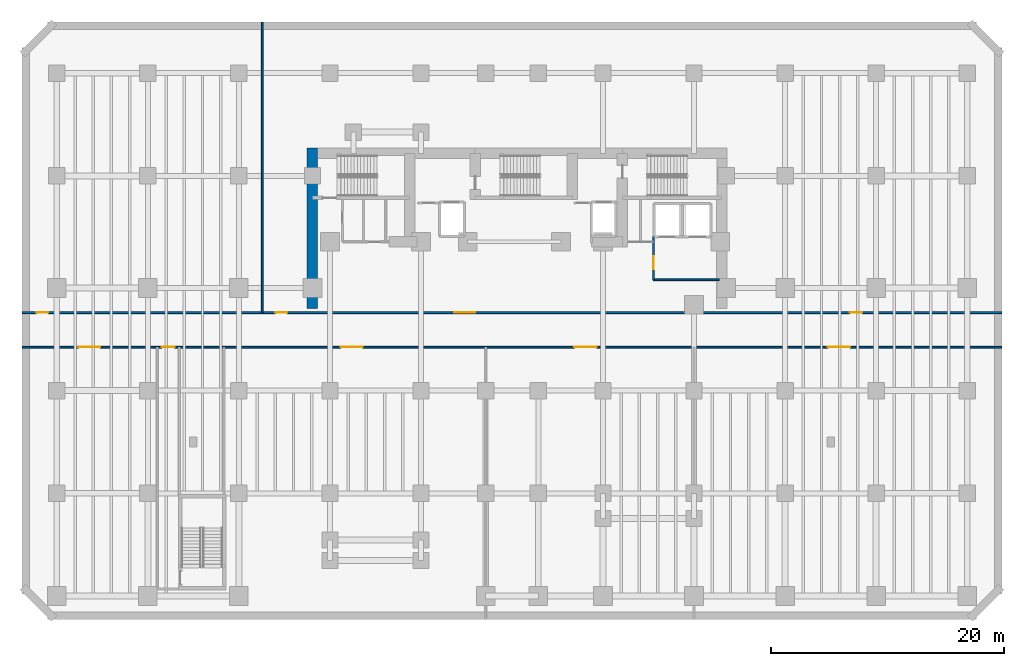
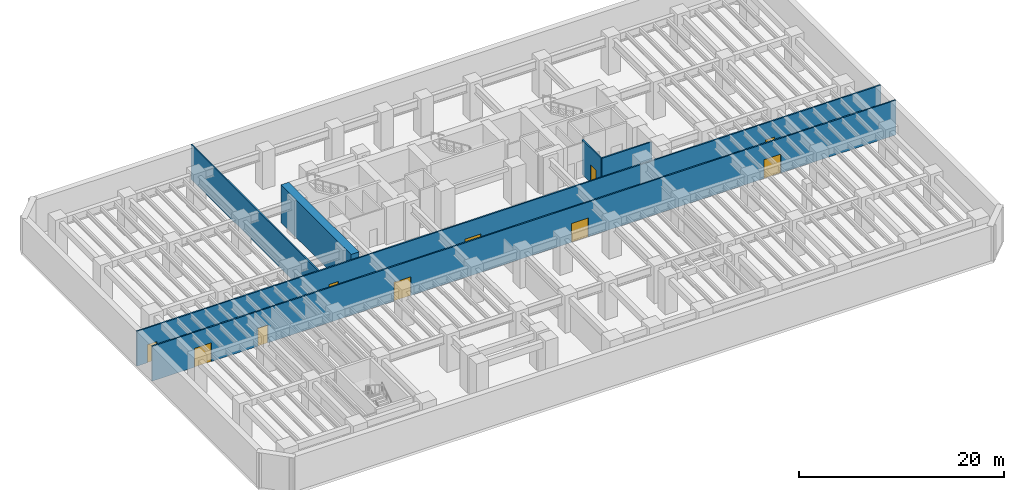
# One storey, part 5 of 9: 10 doors, 6 walls, 10 openings.
"""IFC4 building model written with IfcOpenShell, lengths in metres."""

from ifc_helpers import new_model, si_unit, direction, frame, frame_2d, origin, place, context, subcontext, project, spatial, rectangle, extrude, material, layer, layer_set, type_object, element, fill, save


model = new_model("IFC4")

# Units and contexts
model_context = context("Model", 3, precision=1e-05, world=origin(), true_north=direction((0.0, 1.0)))
body_context = subcontext(model_context, "Body", "Model", "MODEL_VIEW")
ifc_project = project(units=[si_unit("LENGTHUNIT", "METRE"), si_unit("AREAUNIT", "SQUARE_METRE"), si_unit("VOLUMEUNIT", "CUBIC_METRE"), si_unit("PLANEANGLEUNIT", "RADIAN"), si_unit("MASSUNIT", "GRAM", prefix="KILO")], contexts=[model_context])

# Site, building, storey
site_placement = place(None, origin())
site = spatial("IfcSite", under=ifc_project, at=site_placement, CompositionType="ELEMENT")
building_placement = place(site_placement, origin())
building = spatial("IfcBuilding", under=site, at=building_placement, Name="Kestravale Grand Hotel", CompositionType="ELEMENT")
storey_placement = place(building_placement, frame((0.0, 0.0, -4.5)))
storey = spatial("IfcBuildingStorey", under=building, at=storey_placement, Name="B1", CompositionType="ELEMENT", Elevation=-4.5)

# Wall
ifc_material_1 = material(Name="Concrete f'c 70 MPa", Category="concrete")
ifc_layer_1 = layer(ifc_material_1, 0.89990234375)
ifc_layer_set_1 = layer_set([ifc_layer_1], Name="EW-CORE-900")
wall_type_1 = type_object("IfcWallType", Name="EW-CORE-900", PredefinedType="SHEAR", material=ifc_layer_set_1)
wall_1_placement = place(storey_placement, frame((21.89990234375, 27.050048828125, 0.0), z_axis=(0.0, 0.0, 1.0), x_axis=(0.0, 1.0, 0.0)))
element("IfcWall", 1, at=wall_1_placement, inside=storey, type_object=wall_type_1, Name="B1 core shear wall W1", PredefinedType="SHEAR", context=body_context, shape_type="SweptSolid", body=[
    extrude(rectangle(XDim=13.719970703125, YDim=0.89990234375, at=frame_2d((6.85986328125, 0.0))), origin(), (0.0, 0.0, 1.0), 4.5),
])

# Wall, opening, door
ifc_material_2 = material(Name="Acoustic fire-rated gypsum board partition", Category="other")
ifc_layer_2 = layer(ifc_material_2, 0.159912109375)
ifc_layer_set_2 = layer_set([ifc_layer_2], Name="IW-CORR-160")
wall_type_2 = type_object("IfcWallType", Name="IW-CORR-160", PredefinedType="PARTITIONING", material=ifc_layer_set_2)
wall_2_placement = place(storey_placement, frame((51.1201171875, 29.5, 0.0), z_axis=(0.0, 0.0, 1.0), x_axis=(0.0, 1.0, 0.0)))
wall_2 = element("IfcWall", 2, at=wall_2_placement, inside=storey, type_object=wall_type_2, Name="W-B1-SVCLOB-W", PredefinedType="PARTITIONING", context=body_context, shape_type="SweptSolid", body=[
    extrude(rectangle(XDim=3.699951171875, YDim=0.159912109375, at=frame_2d((1.85009765625, 0.0))), origin(), (0.0, 0.0, 1.0), 4.14990234375),
])
opening_1_placement = place(wall_2_placement, frame((0.89990234375, 0.0, 0.0)))
opening_1 = element("IfcOpeningElement", 3, at=opening_1_placement, cuts=wall_2, Name="Opening D-CORR-1100", PredefinedType="OPENING", context=body_context, shape_type="SweptSolid", body=[
    extrude(rectangle(XDim=1.10009765625, YDim=2.14990234375, at=frame_2d((0.550048828125, 1.074951171875))), frame((0.0, 0.08984375, 0.0), z_axis=(0.0, -1.0, 0.0), x_axis=(1.0, 0.0, 0.0)), (0.0, 0.0, 1.0), 0.179931640625),
])
ifc_material_3 = material(Name="Single-leaf service vestibule fire door", Category="steel")
door_type_1 = type_object("IfcDoorType", Name="D-CORR-1100", OperationType="NOTDEFINED", PredefinedType="DOOR", material=ifc_material_3)
door_1_placement = place(opening_1_placement, origin())
door_1 = element("IfcDoor", 4, at=door_1_placement, inside=storey, type_object=door_type_1, Name="B1 service lift lobby door", OperationType="SINGLE_SWING_LEFT", OverallHeight=2.14990234375, OverallWidth=1.10009765625, PredefinedType="DOOR", context=body_context, shape_type="SweptSolid", body=[
    extrude(rectangle(XDim=1.10009765625, YDim=2.14990234375, at=frame_2d((0.550048828125, 1.074951171875))), frame((0.0, 0.02490234375, 0.0), z_axis=(0.0, -1.0, 0.0), x_axis=(1.0, 0.0, 0.0)), (0.0, 0.0, 1.0), 0.050048828125),
])
fill(opening_1, door_1)

# Wall
wall_3_placement = place(storey_placement, frame((51.1201171875, 29.5, 0.0), z_axis=(0.0, 0.0, 1.0), x_axis=(1.0, 0.0, 0.0)))
element("IfcWall", 5, at=wall_3_placement, inside=storey, type_object=wall_type_2, Name="B1 service lift lobby wall", PredefinedType="PARTITIONING", context=body_context, shape_type="SweptSolid", body=[
    extrude(rectangle(XDim=5.6298828125, YDim=0.159912109375, at=frame_2d((2.81494140625, 0.0))), origin(), (0.0, 0.0, 1.0), 4.14990234375),
])

# Wall, openings, doors
wall_4_placement = place(storey_placement, frame((-2.97998046875, 23.719970703125, 0.0), z_axis=(0.0, 0.0, 1.0), x_axis=(1.0, 0.0, 0.0)))
wall_4 = element("IfcWall", 6, at=wall_4_placement, inside=storey, type_object=wall_type_2, Name="W-B1-CORR-S", PredefinedType="PARTITIONING", context=body_context, shape_type="SweptSolid", body=[
    extrude(rectangle(XDim=83.9599609375, YDim=0.159912109375, at=frame_2d((41.97998046875, 0.0))), origin(), (0.0, 0.0, 1.0), 4.14990234375),
])
opening_2_placement = place(wall_4_placement, frame((11.97998046875, 0.0, 0.0)))
opening_2 = element("IfcOpeningElement", 7, at=opening_2_placement, cuts=wall_4, Name="Opening D-CORR-1100", PredefinedType="OPENING", context=body_context, shape_type="SweptSolid", body=[
    extrude(rectangle(XDim=1.10009765625, YDim=2.14990234375, at=frame_2d((0.550048828125, 1.074951171875))), frame((0.0, 0.08984375, 0.0), z_axis=(0.0, -1.0, 0.0), x_axis=(1.0, 0.0, 0.0)), (0.0, 0.0, 1.0), 0.179931640625),
])
opening_3_placement = place(wall_4_placement, frame((4.800048828125, 0.0, 0.0)))
opening_3 = element("IfcOpeningElement", 8, at=opening_3_placement, cuts=wall_4, Name="Opening D-PLT-1900", PredefinedType="OPENING", context=body_context, shape_type="SweptSolid", body=[
    extrude(rectangle(XDim=1.89990234375, YDim=2.25, at=frame_2d((0.949951171875, 1.125))), frame((0.0, 0.08984375, 0.0), z_axis=(0.0, -1.0, 0.0), x_axis=(1.0, 0.0, 0.0)), (0.0, 0.0, 1.0), 0.179931640625),
])
opening_4_placement = place(wall_4_placement, frame((27.300048828125, 0.0, 0.0)))
opening_4 = element("IfcOpeningElement", 9, at=opening_4_placement, cuts=wall_4, Name="Opening D-PLT-1900", PredefinedType="OPENING", context=body_context, shape_type="SweptSolid", body=[
    extrude(rectangle(XDim=1.89990234375, YDim=2.25, at=frame_2d((0.949951171875, 1.125))), frame((0.0, 0.08984375, 0.0), z_axis=(0.0, -1.0, 0.0), x_axis=(1.0, 0.0, 0.0)), (0.0, 0.0, 1.0), 0.179931640625),
])
opening_5_placement = place(wall_4_placement, frame((47.324951171875, 0.0, 0.0)))
opening_5 = element("IfcOpeningElement", 10, at=opening_5_placement, cuts=wall_4, Name="Opening D-PLT-1900", PredefinedType="OPENING", context=body_context, shape_type="SweptSolid", body=[
    extrude(rectangle(XDim=1.89990234375, YDim=2.25, at=frame_2d((0.949951171875, 1.125))), frame((0.0, 0.08984375, 0.0), z_axis=(0.0, -1.0, 0.0), x_axis=(1.0, 0.0, 0.0)), (0.0, 0.0, 1.0), 0.179931640625),
])
opening_6_placement = place(wall_4_placement, frame((69.050048828125, 0.0, 0.0)))
opening_6 = element("IfcOpeningElement", 11, at=opening_6_placement, cuts=wall_4, Name="Opening D-PLT-1900", PredefinedType="OPENING", context=body_context, shape_type="SweptSolid", body=[
    extrude(rectangle(XDim=1.89990234375, YDim=2.25, at=frame_2d((0.949951171875, 1.125))), frame((0.0, 0.08984375, 0.0), z_axis=(0.0, -1.0, 0.0), x_axis=(1.0, 0.0, 0.0)), (0.0, 0.0, 1.0), 0.179931640625),
])
door_2_placement = place(opening_2_placement, origin())
door_2 = element("IfcDoor", 12, at=door_2_placement, inside=storey, type_object=door_type_1, Name="B1 West Stair Corridor Door", OperationType="SINGLE_SWING_RIGHT", OverallHeight=2.14990234375, OverallWidth=1.10009765625, PredefinedType="DOOR", context=body_context, shape_type="SweptSolid", body=[
    extrude(rectangle(XDim=1.10009765625, YDim=2.14990234375, at=frame_2d((0.550048828125, 1.074951171875))), frame((0.0, 0.02490234375, 0.0), z_axis=(0.0, -1.0, 0.0), x_axis=(1.0, 0.0, 0.0)), (0.0, 0.0, 1.0), 0.050048828125),
])
fill(opening_2, door_2)
ifc_material_4 = material(Name="Heavy-duty double plant room fire door", Category="steel")
door_type_2 = type_object("IfcDoorType", Name="D-PLT-1900", OperationType="NOTDEFINED", PredefinedType="DOOR", material=ifc_material_4)
door_3_placement = place(opening_3_placement, origin())
door_3 = element("IfcDoor", 13, at=door_3_placement, inside=storey, type_object=door_type_2, Name="D-B1-S-LOCKER", OperationType="DOUBLE_DOOR_SINGLE_SWING", OverallHeight=2.25, OverallWidth=1.89990234375, PredefinedType="DOOR", context=body_context, shape_type="SweptSolid", body=[
    extrude(rectangle(XDim=1.89990234375, YDim=2.25, at=frame_2d((0.949951171875, 1.125))), frame((0.0, 0.02490234375, 0.0), z_axis=(0.0, -1.0, 0.0), x_axis=(1.0, 0.0, 0.0)), (0.0, 0.0, 1.0), 0.050048828125),
])
fill(opening_3, door_3)
door_4_placement = place(opening_4_placement, origin())
door_4 = element("IfcDoor", 14, at=door_4_placement, inside=storey, type_object=door_type_2, Name="D-B1-S-LAUNDRY", OperationType="DOUBLE_DOOR_SINGLE_SWING", OverallHeight=2.25, OverallWidth=1.89990234375, PredefinedType="DOOR", context=body_context, shape_type="SweptSolid", body=[
    extrude(rectangle(XDim=1.89990234375, YDim=2.25, at=frame_2d((0.949951171875, 1.125))), frame((0.0, 0.02490234375, 0.0), z_axis=(0.0, -1.0, 0.0), x_axis=(1.0, 0.0, 0.0)), (0.0, 0.0, 1.0), 0.050048828125),
])
fill(opening_4, door_4)
door_5_placement = place(opening_5_placement, origin())
door_5 = element("IfcDoor", 15, at=door_5_placement, inside=storey, type_object=door_type_2, Name="D-B1-S-KITCH", OperationType="DOUBLE_DOOR_SINGLE_SWING", OverallHeight=2.25, OverallWidth=1.89990234375, PredefinedType="DOOR", context=body_context, shape_type="SweptSolid", body=[
    extrude(rectangle(XDim=1.89990234375, YDim=2.25, at=frame_2d((0.949951171875, 1.125))), frame((0.0, 0.02490234375, 0.0), z_axis=(0.0, -1.0, 0.0), x_axis=(1.0, 0.0, 0.0)), (0.0, 0.0, 1.0), 0.050048828125),
])
fill(opening_5, door_5)
door_6_placement = place(opening_6_placement, origin())
door_6 = element("IfcDoor", 16, at=door_6_placement, inside=storey, type_object=door_type_2, Name="D-B1-S-STORE", OperationType="DOUBLE_DOOR_SINGLE_SWING", OverallHeight=2.25, OverallWidth=1.89990234375, PredefinedType="DOOR", context=body_context, shape_type="SweptSolid", body=[
    extrude(rectangle(XDim=1.89990234375, YDim=2.25, at=frame_2d((0.949951171875, 1.125))), frame((0.0, 0.02490234375, 0.0), z_axis=(0.0, -1.0, 0.0), x_axis=(1.0, 0.0, 0.0)), (0.0, 0.0, 1.0), 0.050048828125),
])
fill(opening_6, door_6)

wall_5_placement = place(storey_placement, frame((-2.97998046875, 26.679931640625, 0.0), z_axis=(0.0, 0.0, 1.0), x_axis=(1.0, 0.0, 0.0)))
wall_5 = element("IfcWall", 17, at=wall_5_placement, inside=storey, type_object=wall_type_2, Name="W-B1-CORR-N", PredefinedType="PARTITIONING", context=body_context, shape_type="SweptSolid", body=[
    extrude(rectangle(XDim=83.9599609375, YDim=0.159912109375, at=frame_2d((41.97998046875, 0.0))), origin(), (0.0, 0.0, 1.0), 4.14990234375),
])
opening_7_placement = place(wall_5_placement, frame((37.01611328125, 0.0, 0.0)))
opening_7 = element("IfcOpeningElement", 18, at=opening_7_placement, cuts=wall_5, Name="Opening D-CORR-1800", PredefinedType="OPENING", context=body_context, shape_type="SweptSolid", body=[
    extrude(rectangle(XDim=1.800048828125, YDim=2.199951171875, at=frame_2d((0.89990234375, 1.10009765625))), frame((0.0, 0.08984375, 0.0), z_axis=(0.0, -1.0, 0.0), x_axis=(1.0, 0.0, 0.0)), (0.0, 0.0, 1.0), 0.179931640625),
])
opening_8_placement = place(wall_5_placement, frame((1.199951171875, 0.0, 0.0)))
opening_8 = element("IfcOpeningElement", 19, at=opening_8_placement, cuts=wall_5, Name="Opening D-PLT-1050", PredefinedType="OPENING", context=body_context, shape_type="SweptSolid", body=[
    extrude(rectangle(XDim=1.050048828125, YDim=2.14990234375, at=frame_2d((0.52490234375, 1.074951171875))), frame((0.0, 0.08984375, 0.0), z_axis=(0.0, -1.0, 0.0), x_axis=(1.0, 0.0, 0.0)), (0.0, 0.0, 1.0), 0.179931640625),
])
opening_9_placement = place(wall_5_placement, frame((21.675048828125, 0.0, 0.0)))
opening_9 = element("IfcOpeningElement", 20, at=opening_9_placement, cuts=wall_5, Name="Opening D-PLT-1050", PredefinedType="OPENING", context=body_context, shape_type="SweptSolid", body=[
    extrude(rectangle(XDim=1.050048828125, YDim=2.14990234375, at=frame_2d((0.52490234375, 1.074951171875))), frame((0.0, 0.08984375, 0.0), z_axis=(0.0, -1.0, 0.0), x_axis=(1.0, 0.0, 0.0)), (0.0, 0.0, 1.0), 0.179931640625),
])
opening_10_placement = place(wall_5_placement, frame((70.925048828125, 0.0, 0.0)))
opening_10 = element("IfcOpeningElement", 21, at=opening_10_placement, cuts=wall_5, Name="Opening D-PLT-1050", PredefinedType="OPENING", context=body_context, shape_type="SweptSolid", body=[
    extrude(rectangle(XDim=1.050048828125, YDim=2.14990234375, at=frame_2d((0.52490234375, 1.074951171875))), frame((0.0, 0.08984375, 0.0), z_axis=(0.0, -1.0, 0.0), x_axis=(1.0, 0.0, 0.0)), (0.0, 0.0, 1.0), 0.179931640625),
])
ifc_material_5 = material(Name="Double-leaf glazed bronze acoustic corridor fire door", Category="aluminium")
door_type_3 = type_object("IfcDoorType", Name="D-CORR-1800", OperationType="NOTDEFINED", PredefinedType="DOOR", material=ifc_material_5)
door_7_placement = place(opening_7_placement, origin())
door_7 = element("IfcDoor", 22, at=door_7_placement, inside=storey, type_object=door_type_3, Name="D-B1-LFTLOB", OperationType="DOUBLE_DOOR_SINGLE_SWING", OverallHeight=2.199951171875, OverallWidth=1.800048828125, PredefinedType="DOOR", context=body_context, shape_type="SweptSolid", body=[
    extrude(rectangle(XDim=1.800048828125, YDim=2.199951171875, at=frame_2d((0.89990234375, 1.10009765625))), frame((0.0, 0.02490234375, 0.0), z_axis=(0.0, -1.0, 0.0), x_axis=(1.0, 0.0, 0.0)), (0.0, 0.0, 1.0), 0.050048828125),
])
fill(opening_7, door_7)
ifc_material_6 = material(Name="Single plant room fire door", Category="steel")
door_type_4 = type_object("IfcDoorType", Name="D-PLT-1050", OperationType="NOTDEFINED", PredefinedType="DOOR", material=ifc_material_6)
door_8_placement = place(opening_8_placement, origin())
door_8 = element("IfcDoor", 23, at=door_8_placement, inside=storey, type_object=door_type_4, Name="D-B1-N-BOHOFF", OperationType="SINGLE_SWING_RIGHT", OverallHeight=2.14990234375, OverallWidth=1.050048828125, PredefinedType="DOOR", context=body_context, shape_type="SweptSolid", body=[
    extrude(rectangle(XDim=1.050048828125, YDim=2.14990234375, at=frame_2d((0.52490234375, 1.074951171875))), frame((0.0, 0.02490234375, 0.0), z_axis=(0.0, -1.0, 0.0), x_axis=(1.0, 0.0, 0.0)), (0.0, 0.0, 1.0), 0.050048828125),
])
fill(opening_8, door_8)
door_9_placement = place(opening_9_placement, origin())
door_9 = element("IfcDoor", 24, at=door_9_placement, inside=storey, type_object=door_type_4, Name="D-B1-N-WCS", OperationType="SINGLE_SWING_LEFT", OverallHeight=2.14990234375, OverallWidth=1.050048828125, PredefinedType="DOOR", context=body_context, shape_type="SweptSolid", body=[
    extrude(rectangle(XDim=1.050048828125, YDim=2.14990234375, at=frame_2d((0.52490234375, 1.074951171875))), frame((0.0, 0.02490234375, 0.0), z_axis=(0.0, -1.0, 0.0), x_axis=(1.0, 0.0, 0.0)), (0.0, 0.0, 1.0), 0.050048828125),
])
fill(opening_9, door_9)
door_10_placement = place(opening_10_placement, origin())
door_10 = element("IfcDoor", 25, at=door_10_placement, inside=storey, type_object=door_type_4, Name="D-B1-N-REC", OperationType="SINGLE_SWING_RIGHT", OverallHeight=2.14990234375, OverallWidth=1.050048828125, PredefinedType="DOOR", context=body_context, shape_type="SweptSolid", body=[
    extrude(rectangle(XDim=1.050048828125, YDim=2.14990234375, at=frame_2d((0.52490234375, 1.074951171875))), frame((0.0, 0.02490234375, 0.0), z_axis=(0.0, -1.0, 0.0), x_axis=(1.0, 0.0, 0.0)), (0.0, 0.0, 1.0), 0.050048828125),
])
fill(opening_10, door_10)

# Wall
ifc_material_7 = material(Name="Double-stud STC 52 acoustic demising partition", Category="other")
ifc_layer_3 = layer(ifc_material_7, 0.14990234375)
ifc_layer_set_3 = layer_set([ifc_layer_3], Name="IW-UNIT-150")
wall_type_3 = type_object("IfcWallType", Name="IW-UNIT-150", PredefinedType="PARTITIONING", material=ifc_layer_set_3)
wall_6_placement = place(storey_placement, frame((17.60009765625, 26.679931640625, 0.0), z_axis=(0.0, 0.0, 1.0), x_axis=(0.0, 1.0, 0.0)))
element("IfcWall", 26, at=wall_6_placement, inside=storey, type_object=wall_type_3, Name="W-B1-NB-1", PredefinedType="PARTITIONING", context=body_context, shape_type="SweptSolid", body=[
    extrude(rectangle(XDim=24.900146484375, YDim=0.14990234375, at=frame_2d((12.4501953125, 0.0))), origin(), (0.0, 0.0, 1.0), 4.14990234375),
])

save(model, "model.ifc")
